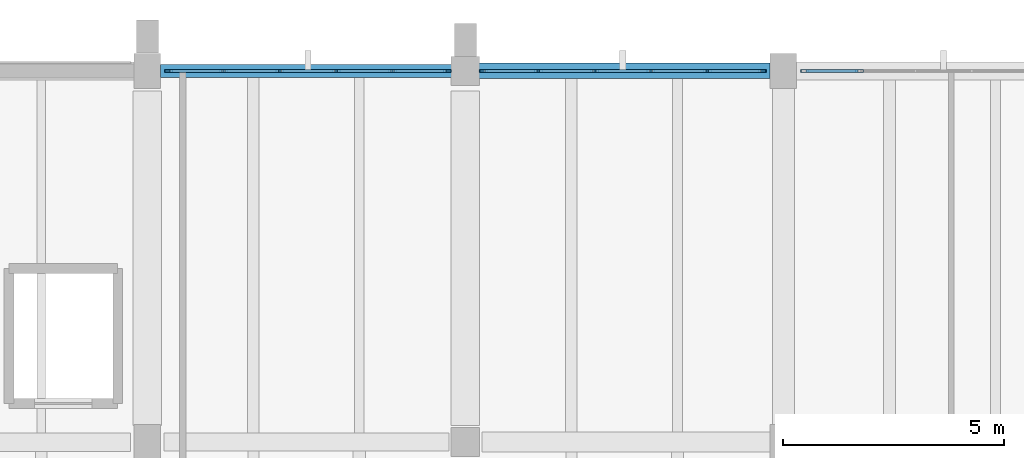
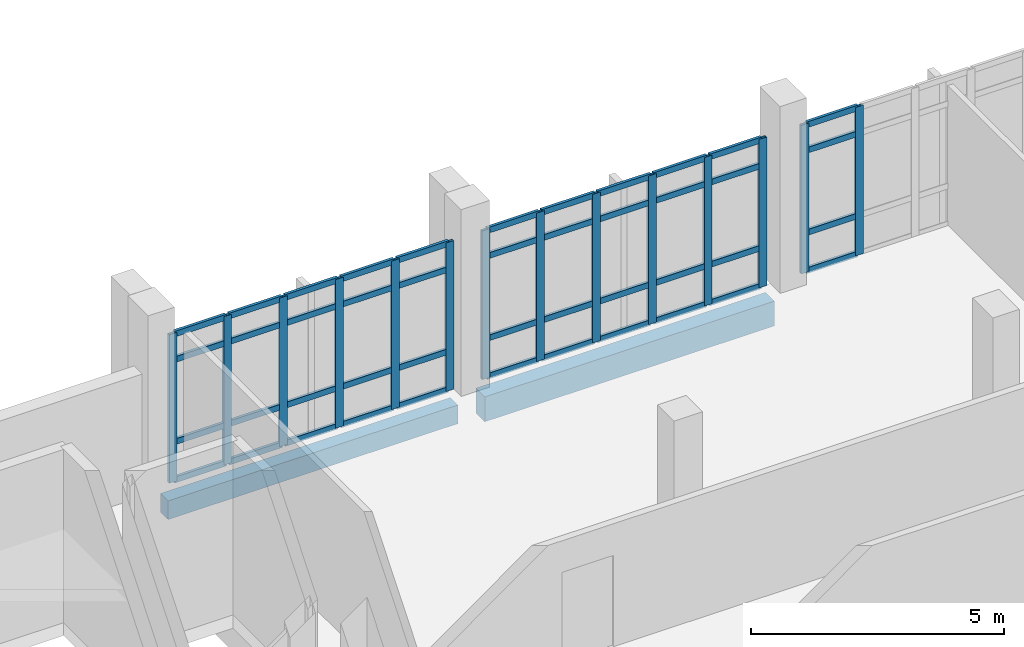
# One storey, part 54 of 87: 58 members, 2 beams, 3 elements without a shape of their own.
"""IFC4 building model written with IfcOpenShell, lengths in metres."""

from ifc_helpers import new_model, si_unit, direction, frame, origin, origin_2d, place, context, subcontext, project, spatial, rectangle, hollow_rectangle, extrude, material, material_profile, profile_set, type_object, element, aggregate, save


model = new_model("IFC4")

# Units and contexts
model_context = context("Model", 3, precision=1e-05, world=origin(), true_north=direction((0.0, 1.0)))
body_context = subcontext(model_context, "Body", "Model", "MODEL_VIEW")
ifc_project = project(units=[si_unit("LENGTHUNIT", "METRE"), si_unit("AREAUNIT", "SQUARE_METRE"), si_unit("VOLUMEUNIT", "CUBIC_METRE"), si_unit("PLANEANGLEUNIT", "RADIAN"), si_unit("MASSUNIT", "GRAM", prefix="KILO")], contexts=[model_context])

# Site, building, storey
site_placement = place(None, origin())
site = spatial("IfcSite", under=ifc_project, at=site_placement, CompositionType="ELEMENT")
building_placement = place(site_placement, origin())
building = spatial("IfcBuilding", under=site, at=building_placement, Name="Kalluvel Institute of Natural Sciences", CompositionType="ELEMENT")
storey_placement = place(building_placement, frame((0.0, 0.0, 18.89990234375)))
storey = spatial("IfcBuildingStorey", under=building, at=storey_placement, Name="L04", CompositionType="ELEMENT", Elevation=18.89990234375)

# Curtain wall, members
ifc_material_1 = material(Name="Aluminium AW-6063 T6", Category="aluminium")
curtain_wall_type = type_object("IfcCurtainWallType", Name="CW-WET-45", PredefinedType="USERDEFINED", material=ifc_material_1)
curtain_wall_1_placement = place(storey_placement, origin())
curtain_wall_1 = element("IfcCurtainWall", 1, at=curtain_wall_1_placement, inside=storey, type_object=curtain_wall_type, Name="L04 Gothic lancet curtain wall CWA-L04-X792-Y1280", ObjectType="UNITISED LANCET FACADE", PredefinedType="USERDEFINED")
ifc_material_profile_1 = material_profile(ifc_material_1, hollow_rectangle(XDim=0.06494140625, YDim=0.179931640625, WallThickness=0.00439453125, at=origin_2d()), Name="CWM 65x180")
ifc_profile_set_1 = profile_set([ifc_material_profile_1], Name="Aluminium AW-6063 T6")
member_type_1 = type_object("IfcMemberType", Name="CWM-65x180", PredefinedType="MULLION", material=ifc_profile_set_1)
member_1_placement = place(storey_placement, frame((79.282470703125, 128.0, 0.0), z_axis=(0.0, 0.0, 1.0), x_axis=(0.0, 1.0, 0.0)))
member_1 = element("IfcMember", 2, at=member_1_placement, type_object=member_type_1, Name="CW-01 mullion 1", PredefinedType="MULLION", context=body_context, shape_type="SweptSolid", body=[
    extrude(hollow_rectangle(XDim=0.06494140625, YDim=0.179931640625, WallThickness=0.00439453125, at=origin_2d()), origin(), (0.0, 0.0, 1.0), 3.580078125),
])
member_2_placement = place(storey_placement, frame((80.52490234375, 128.0, 0.0), z_axis=(0.0, 0.0, 1.0), x_axis=(0.0, 1.0, 0.0)))
member_2 = element("IfcMember", 3, at=member_2_placement, type_object=member_type_1, Name="CW-01 mullion 2", PredefinedType="MULLION", context=body_context, shape_type="SweptSolid", body=[
    extrude(hollow_rectangle(XDim=0.06494140625, YDim=0.179931640625, WallThickness=0.00439453125, at=origin_2d()), origin(), (0.0, 0.0, 1.0), 3.580078125),
])
member_3_placement = place(storey_placement, frame((81.800048828125, 128.0, 0.0), z_axis=(0.0, 0.0, 1.0), x_axis=(0.0, 1.0, 0.0)))
member_3 = element("IfcMember", 4, at=member_3_placement, type_object=member_type_1, Name="CW-01 mullion 3", PredefinedType="MULLION", context=body_context, shape_type="SweptSolid", body=[
    extrude(hollow_rectangle(XDim=0.06494140625, YDim=0.179931640625, WallThickness=0.00439453125, at=origin_2d()), origin(), (0.0, 0.0, 1.0), 3.580078125),
])
member_4_placement = place(storey_placement, frame((83.074951171875, 128.0, 0.0), z_axis=(0.0, 0.0, 1.0), x_axis=(0.0, 1.0, 0.0)))
member_4 = element("IfcMember", 5, at=member_4_placement, type_object=member_type_1, Name="CW-01 mullion 4", PredefinedType="MULLION", context=body_context, shape_type="SweptSolid", body=[
    extrude(hollow_rectangle(XDim=0.06494140625, YDim=0.179931640625, WallThickness=0.00439453125, at=origin_2d()), origin(), (0.0, 0.0, 1.0), 3.580078125),
])
member_5_placement = place(storey_placement, frame((84.35009765625, 128.0, 0.0), z_axis=(0.0, 0.0, 1.0), x_axis=(0.0, 1.0, 0.0)))
member_5 = element("IfcMember", 6, at=member_5_placement, type_object=member_type_1, Name="CW-01 mullion 5", PredefinedType="MULLION", context=body_context, shape_type="SweptSolid", body=[
    extrude(hollow_rectangle(XDim=0.06494140625, YDim=0.179931640625, WallThickness=0.00439453125, at=origin_2d()), origin(), (0.0, 0.0, 1.0), 3.580078125),
])
member_6_placement = place(storey_placement, frame((85.592529296875, 128.0, 0.0), z_axis=(0.0, 0.0, 1.0), x_axis=(0.0, 1.0, 0.0)))
member_6 = element("IfcMember", 7, at=member_6_placement, type_object=member_type_1, Name="CW-01 mullion 6", PredefinedType="MULLION", context=body_context, shape_type="SweptSolid", body=[
    extrude(hollow_rectangle(XDim=0.06494140625, YDim=0.179931640625, WallThickness=0.00439453125, at=origin_2d()), origin(), (0.0, 0.0, 1.0), 3.580078125),
])

curtain_wall_2_placement = place(storey_placement, origin())
curtain_wall_2 = element("IfcCurtainWall", 8, at=curtain_wall_2_placement, inside=storey, type_object=curtain_wall_type, Name="L04 Gothic lancet curtain wall CWA-L04-X864-Y1280", ObjectType="UNITISED LANCET FACADE", PredefinedType="USERDEFINED")
member_7_placement = place(storey_placement, frame((86.407470703125, 128.0, 0.0), z_axis=(0.0, 0.0, 1.0), x_axis=(0.0, 1.0, 0.0)))
member_7 = element("IfcMember", 9, at=member_7_placement, type_object=member_type_1, Name="CW-01 mullion 1", PredefinedType="MULLION", context=body_context, shape_type="SweptSolid", body=[
    extrude(hollow_rectangle(XDim=0.06494140625, YDim=0.179931640625, WallThickness=0.00439453125, at=origin_2d()), origin(), (0.0, 0.0, 1.0), 3.580078125),
])
member_8_placement = place(storey_placement, frame((87.64990234375, 128.0, 0.0), z_axis=(0.0, 0.0, 1.0), x_axis=(0.0, 1.0, 0.0)))
member_8 = element("IfcMember", 10, at=member_8_placement, type_object=member_type_1, Name="CW-01 mullion 2", PredefinedType="MULLION", context=body_context, shape_type="SweptSolid", body=[
    extrude(hollow_rectangle(XDim=0.06494140625, YDim=0.179931640625, WallThickness=0.00439453125, at=origin_2d()), origin(), (0.0, 0.0, 1.0), 3.580078125),
])
member_9_placement = place(storey_placement, frame((88.925048828125, 128.0, 0.0), z_axis=(0.0, 0.0, 1.0), x_axis=(0.0, 1.0, 0.0)))
member_9 = element("IfcMember", 11, at=member_9_placement, type_object=member_type_1, Name="CW-01 mullion 3", PredefinedType="MULLION", context=body_context, shape_type="SweptSolid", body=[
    extrude(hollow_rectangle(XDim=0.06494140625, YDim=0.179931640625, WallThickness=0.00439453125, at=origin_2d()), origin(), (0.0, 0.0, 1.0), 3.580078125),
])
member_10_placement = place(storey_placement, frame((90.199951171875, 128.0, 0.0), z_axis=(0.0, 0.0, 1.0), x_axis=(0.0, 1.0, 0.0)))
member_10 = element("IfcMember", 12, at=member_10_placement, type_object=member_type_1, Name="CW-01 mullion 4", PredefinedType="MULLION", context=body_context, shape_type="SweptSolid", body=[
    extrude(hollow_rectangle(XDim=0.06494140625, YDim=0.179931640625, WallThickness=0.00439453125, at=origin_2d()), origin(), (0.0, 0.0, 1.0), 3.580078125),
])
member_11_placement = place(storey_placement, frame((91.47509765625, 128.0, 0.0), z_axis=(0.0, 0.0, 1.0), x_axis=(0.0, 1.0, 0.0)))
member_11 = element("IfcMember", 13, at=member_11_placement, type_object=member_type_1, Name="CW-01 mullion 5", PredefinedType="MULLION", context=body_context, shape_type="SweptSolid", body=[
    extrude(hollow_rectangle(XDim=0.06494140625, YDim=0.179931640625, WallThickness=0.00439453125, at=origin_2d()), origin(), (0.0, 0.0, 1.0), 3.580078125),
])
member_12_placement = place(storey_placement, frame((92.717529296875, 128.0, 0.0), z_axis=(0.0, 0.0, 1.0), x_axis=(0.0, 1.0, 0.0)))
member_12 = element("IfcMember", 14, at=member_12_placement, type_object=member_type_1, Name="CW-01 mullion 6", PredefinedType="MULLION", context=body_context, shape_type="SweptSolid", body=[
    extrude(hollow_rectangle(XDim=0.06494140625, YDim=0.179931640625, WallThickness=0.00439453125, at=origin_2d()), origin(), (0.0, 0.0, 1.0), 3.580078125),
])

curtain_wall_3_placement = place(storey_placement, origin())
curtain_wall_3 = element("IfcCurtainWall", 15, at=curtain_wall_3_placement, inside=storey, type_object=curtain_wall_type, Name="L04 Gothic lancet curtain wall CWA-L04-X936-Y1280", ObjectType="UNITISED LANCET FACADE", PredefinedType="USERDEFINED")
member_13_placement = place(storey_placement, frame((93.6826171875, 128.0, 0.0), z_axis=(0.0, 0.0, 1.0), x_axis=(0.0, 1.0, 0.0)))
member_13 = element("IfcMember", 16, at=member_13_placement, type_object=member_type_1, Name="CW-01 mullion 1", PredefinedType="MULLION", context=body_context, shape_type="SweptSolid", body=[
    extrude(hollow_rectangle(XDim=0.06494140625, YDim=0.179931640625, WallThickness=0.00439453125, at=origin_2d()), origin(), (0.0, 0.0, 1.0), 3.580078125),
])
member_14_placement = place(storey_placement, frame((94.919921875, 128.0, 0.0), z_axis=(0.0, 0.0, 1.0), x_axis=(0.0, 1.0, 0.0)))
member_14 = element("IfcMember", 17, at=member_14_placement, type_object=member_type_1, Name="CW-01 mullion 2", PredefinedType="MULLION", context=body_context, shape_type="SweptSolid", body=[
    extrude(hollow_rectangle(XDim=0.06494140625, YDim=0.179931640625, WallThickness=0.00439453125, at=origin_2d()), origin(), (0.0, 0.0, 1.0), 3.580078125),
])

# Member
ifc_material_profile_2 = material_profile(ifc_material_1, hollow_rectangle(XDim=0.06494140625, YDim=0.139892578125, WallThickness=0.00439453125, at=origin_2d()), Name="CWT 65x140")
ifc_profile_set_2 = profile_set([ifc_material_profile_2], Name="Aluminium AW-6063 T6")
member_type_2 = type_object("IfcMemberType", Name="CWT-65x140", PredefinedType="USERDEFINED", material=ifc_profile_set_2)
member_15_placement = place(storey_placement, frame((79.31494140625, 128.0, 0.03271484375), z_axis=(1.0, 0.0, 0.0), x_axis=(0.0, 1.0, 0.0)))
member_15 = element("IfcMember", 18, at=member_15_placement, type_object=member_type_2, Name="CW-01 transom 1.1", ObjectType="TRANSOM", PredefinedType="USERDEFINED", context=body_context, shape_type="SweptSolid", body=[
    extrude(hollow_rectangle(XDim=0.06494140625, YDim=0.139892578125, WallThickness=0.00439453125, at=origin_2d()), origin(), (0.0, 0.0, 1.0), 1.177490234375),
])

member_16_placement = place(storey_placement, frame((79.31494140625, 128.0, 0.9501953125), z_axis=(1.0, 0.0, 0.0), x_axis=(0.0, 1.0, 0.0)))
member_16 = element("IfcMember", 19, at=member_16_placement, type_object=member_type_2, Name="CW-01 transom 1.2", ObjectType="TRANSOM", PredefinedType="USERDEFINED", context=body_context, shape_type="SweptSolid", body=[
    extrude(hollow_rectangle(XDim=0.06494140625, YDim=0.139892578125, WallThickness=0.00439453125, at=origin_2d()), origin(), (0.0, 0.0, 1.0), 1.177490234375),
])

member_17_placement = place(storey_placement, frame((79.31494140625, 128.0, 2.93017578125), z_axis=(1.0, 0.0, 0.0), x_axis=(0.0, 1.0, 0.0)))
member_17 = element("IfcMember", 20, at=member_17_placement, type_object=member_type_2, Name="CW-01 transom 1.3", ObjectType="TRANSOM", PredefinedType="USERDEFINED", context=body_context, shape_type="SweptSolid", body=[
    extrude(hollow_rectangle(XDim=0.06494140625, YDim=0.139892578125, WallThickness=0.00439453125, at=origin_2d()), origin(), (0.0, 0.0, 1.0), 1.177490234375),
])

member_18_placement = place(storey_placement, frame((79.31494140625, 128.0, 3.547607421875), z_axis=(1.0, 0.0, 0.0), x_axis=(0.0, 1.0, 0.0)))
member_18 = element("IfcMember", 21, at=member_18_placement, type_object=member_type_2, Name="CW-01 transom 1.4", ObjectType="TRANSOM", PredefinedType="USERDEFINED", context=body_context, shape_type="SweptSolid", body=[
    extrude(hollow_rectangle(XDim=0.06494140625, YDim=0.139892578125, WallThickness=0.00439453125, at=origin_2d()), origin(), (0.0, 0.0, 1.0), 1.177490234375),
])

member_19_placement = place(storey_placement, frame((80.5576171875, 128.0, 0.03271484375), z_axis=(1.0, 0.0, 0.0), x_axis=(0.0, 1.0, 0.0)))
member_19 = element("IfcMember", 22, at=member_19_placement, type_object=member_type_2, Name="CW-01 transom 2.1", ObjectType="TRANSOM", PredefinedType="USERDEFINED", context=body_context, shape_type="SweptSolid", body=[
    extrude(hollow_rectangle(XDim=0.06494140625, YDim=0.139892578125, WallThickness=0.00439453125, at=origin_2d()), origin(), (0.0, 0.0, 1.0), 1.2099609375),
])

member_20_placement = place(storey_placement, frame((80.5576171875, 128.0, 0.9501953125), z_axis=(1.0, 0.0, 0.0), x_axis=(0.0, 1.0, 0.0)))
member_20 = element("IfcMember", 23, at=member_20_placement, type_object=member_type_2, Name="CW-01 transom 2.2", ObjectType="TRANSOM", PredefinedType="USERDEFINED", context=body_context, shape_type="SweptSolid", body=[
    extrude(hollow_rectangle(XDim=0.06494140625, YDim=0.139892578125, WallThickness=0.00439453125, at=origin_2d()), origin(), (0.0, 0.0, 1.0), 1.2099609375),
])

member_21_placement = place(storey_placement, frame((80.5576171875, 128.0, 2.93017578125), z_axis=(1.0, 0.0, 0.0), x_axis=(0.0, 1.0, 0.0)))
member_21 = element("IfcMember", 24, at=member_21_placement, type_object=member_type_2, Name="CW-01 transom 2.3", ObjectType="TRANSOM", PredefinedType="USERDEFINED", context=body_context, shape_type="SweptSolid", body=[
    extrude(hollow_rectangle(XDim=0.06494140625, YDim=0.139892578125, WallThickness=0.00439453125, at=origin_2d()), origin(), (0.0, 0.0, 1.0), 1.2099609375),
])

member_22_placement = place(storey_placement, frame((80.5576171875, 128.0, 3.547607421875), z_axis=(1.0, 0.0, 0.0), x_axis=(0.0, 1.0, 0.0)))
member_22 = element("IfcMember", 25, at=member_22_placement, type_object=member_type_2, Name="CW-01 transom 2.4", ObjectType="TRANSOM", PredefinedType="USERDEFINED", context=body_context, shape_type="SweptSolid", body=[
    extrude(hollow_rectangle(XDim=0.06494140625, YDim=0.139892578125, WallThickness=0.00439453125, at=origin_2d()), origin(), (0.0, 0.0, 1.0), 1.2099609375),
])

member_23_placement = place(storey_placement, frame((81.83251953125, 128.0, 0.03271484375), z_axis=(1.0, 0.0, 0.0), x_axis=(0.0, 1.0, 0.0)))
member_23 = element("IfcMember", 26, at=member_23_placement, type_object=member_type_2, Name="CW-01 transom 3.1", ObjectType="TRANSOM", PredefinedType="USERDEFINED", context=body_context, shape_type="SweptSolid", body=[
    extrude(hollow_rectangle(XDim=0.06494140625, YDim=0.139892578125, WallThickness=0.00439453125, at=origin_2d()), origin(), (0.0, 0.0, 1.0), 1.2099609375),
])

member_24_placement = place(storey_placement, frame((81.83251953125, 128.0, 0.9501953125), z_axis=(1.0, 0.0, 0.0), x_axis=(0.0, 1.0, 0.0)))
member_24 = element("IfcMember", 27, at=member_24_placement, type_object=member_type_2, Name="CW-01 transom 3.2", ObjectType="TRANSOM", PredefinedType="USERDEFINED", context=body_context, shape_type="SweptSolid", body=[
    extrude(hollow_rectangle(XDim=0.06494140625, YDim=0.139892578125, WallThickness=0.00439453125, at=origin_2d()), origin(), (0.0, 0.0, 1.0), 1.2099609375),
])

member_25_placement = place(storey_placement, frame((81.83251953125, 128.0, 2.93017578125), z_axis=(1.0, 0.0, 0.0), x_axis=(0.0, 1.0, 0.0)))
member_25 = element("IfcMember", 28, at=member_25_placement, type_object=member_type_2, Name="CW-01 transom 3.3", ObjectType="TRANSOM", PredefinedType="USERDEFINED", context=body_context, shape_type="SweptSolid", body=[
    extrude(hollow_rectangle(XDim=0.06494140625, YDim=0.139892578125, WallThickness=0.00439453125, at=origin_2d()), origin(), (0.0, 0.0, 1.0), 1.2099609375),
])

member_26_placement = place(storey_placement, frame((81.83251953125, 128.0, 3.547607421875), z_axis=(1.0, 0.0, 0.0), x_axis=(0.0, 1.0, 0.0)))
member_26 = element("IfcMember", 29, at=member_26_placement, type_object=member_type_2, Name="CW-01 transom 3.4", ObjectType="TRANSOM", PredefinedType="USERDEFINED", context=body_context, shape_type="SweptSolid", body=[
    extrude(hollow_rectangle(XDim=0.06494140625, YDim=0.139892578125, WallThickness=0.00439453125, at=origin_2d()), origin(), (0.0, 0.0, 1.0), 1.2099609375),
])

member_27_placement = place(storey_placement, frame((83.107421875, 128.0, 0.03271484375), z_axis=(1.0, 0.0, 0.0), x_axis=(0.0, 1.0, 0.0)))
member_27 = element("IfcMember", 30, at=member_27_placement, type_object=member_type_2, Name="CW-01 transom 4.1", ObjectType="TRANSOM", PredefinedType="USERDEFINED", context=body_context, shape_type="SweptSolid", body=[
    extrude(hollow_rectangle(XDim=0.06494140625, YDim=0.139892578125, WallThickness=0.00439453125, at=origin_2d()), origin(), (0.0, 0.0, 1.0), 1.2099609375),
])

member_28_placement = place(storey_placement, frame((83.107421875, 128.0, 0.9501953125), z_axis=(1.0, 0.0, 0.0), x_axis=(0.0, 1.0, 0.0)))
member_28 = element("IfcMember", 31, at=member_28_placement, type_object=member_type_2, Name="CW-01 transom 4.2", ObjectType="TRANSOM", PredefinedType="USERDEFINED", context=body_context, shape_type="SweptSolid", body=[
    extrude(hollow_rectangle(XDim=0.06494140625, YDim=0.139892578125, WallThickness=0.00439453125, at=origin_2d()), origin(), (0.0, 0.0, 1.0), 1.2099609375),
])

member_29_placement = place(storey_placement, frame((83.107421875, 128.0, 2.93017578125), z_axis=(1.0, 0.0, 0.0), x_axis=(0.0, 1.0, 0.0)))
member_29 = element("IfcMember", 32, at=member_29_placement, type_object=member_type_2, Name="CW-01 transom 4.3", ObjectType="TRANSOM", PredefinedType="USERDEFINED", context=body_context, shape_type="SweptSolid", body=[
    extrude(hollow_rectangle(XDim=0.06494140625, YDim=0.139892578125, WallThickness=0.00439453125, at=origin_2d()), origin(), (0.0, 0.0, 1.0), 1.2099609375),
])

member_30_placement = place(storey_placement, frame((83.107421875, 128.0, 3.547607421875), z_axis=(1.0, 0.0, 0.0), x_axis=(0.0, 1.0, 0.0)))
member_30 = element("IfcMember", 33, at=member_30_placement, type_object=member_type_2, Name="CW-01 transom 4.4", ObjectType="TRANSOM", PredefinedType="USERDEFINED", context=body_context, shape_type="SweptSolid", body=[
    extrude(hollow_rectangle(XDim=0.06494140625, YDim=0.139892578125, WallThickness=0.00439453125, at=origin_2d()), origin(), (0.0, 0.0, 1.0), 1.2099609375),
])

member_31_placement = place(storey_placement, frame((84.382568359375, 128.0, 0.03271484375), z_axis=(1.0, 0.0, 0.0), x_axis=(0.0, 1.0, 0.0)))
member_31 = element("IfcMember", 34, at=member_31_placement, type_object=member_type_2, Name="CW-01 transom 5.1", ObjectType="TRANSOM", PredefinedType="USERDEFINED", context=body_context, shape_type="SweptSolid", body=[
    extrude(hollow_rectangle(XDim=0.06494140625, YDim=0.139892578125, WallThickness=0.00439453125, at=origin_2d()), origin(), (0.0, 0.0, 1.0), 1.177490234375),
])

member_32_placement = place(storey_placement, frame((84.382568359375, 128.0, 0.9501953125), z_axis=(1.0, 0.0, 0.0), x_axis=(0.0, 1.0, 0.0)))
member_32 = element("IfcMember", 35, at=member_32_placement, type_object=member_type_2, Name="CW-01 transom 5.2", ObjectType="TRANSOM", PredefinedType="USERDEFINED", context=body_context, shape_type="SweptSolid", body=[
    extrude(hollow_rectangle(XDim=0.06494140625, YDim=0.139892578125, WallThickness=0.00439453125, at=origin_2d()), origin(), (0.0, 0.0, 1.0), 1.177490234375),
])

member_33_placement = place(storey_placement, frame((84.382568359375, 128.0, 2.93017578125), z_axis=(1.0, 0.0, 0.0), x_axis=(0.0, 1.0, 0.0)))
member_33 = element("IfcMember", 36, at=member_33_placement, type_object=member_type_2, Name="CW-01 transom 5.3", ObjectType="TRANSOM", PredefinedType="USERDEFINED", context=body_context, shape_type="SweptSolid", body=[
    extrude(hollow_rectangle(XDim=0.06494140625, YDim=0.139892578125, WallThickness=0.00439453125, at=origin_2d()), origin(), (0.0, 0.0, 1.0), 1.177490234375),
])

member_34_placement = place(storey_placement, frame((84.382568359375, 128.0, 3.547607421875), z_axis=(1.0, 0.0, 0.0), x_axis=(0.0, 1.0, 0.0)))
member_34 = element("IfcMember", 37, at=member_34_placement, type_object=member_type_2, Name="CW-01 transom 5.4", ObjectType="TRANSOM", PredefinedType="USERDEFINED", context=body_context, shape_type="SweptSolid", body=[
    extrude(hollow_rectangle(XDim=0.06494140625, YDim=0.139892578125, WallThickness=0.00439453125, at=origin_2d()), origin(), (0.0, 0.0, 1.0), 1.177490234375),
])

aggregate(curtain_wall_1, [member_1, member_2, member_3, member_4, member_5, member_6, member_15, member_16, member_17, member_18, member_19, member_20, member_21, member_22, member_23, member_24, member_25, member_26, member_27, member_28, member_29, member_30, member_31, member_32, member_33, member_34])

member_35_placement = place(storey_placement, frame((86.43994140625, 128.0, 0.03271484375), z_axis=(1.0, 0.0, 0.0), x_axis=(0.0, 1.0, 0.0)))
member_35 = element("IfcMember", 38, at=member_35_placement, type_object=member_type_2, Name="CW-01 transom 1.1", ObjectType="TRANSOM", PredefinedType="USERDEFINED", context=body_context, shape_type="SweptSolid", body=[
    extrude(hollow_rectangle(XDim=0.06494140625, YDim=0.139892578125, WallThickness=0.00439453125, at=origin_2d()), origin(), (0.0, 0.0, 1.0), 1.177490234375),
])

member_36_placement = place(storey_placement, frame((86.43994140625, 128.0, 0.9501953125), z_axis=(1.0, 0.0, 0.0), x_axis=(0.0, 1.0, 0.0)))
member_36 = element("IfcMember", 39, at=member_36_placement, type_object=member_type_2, Name="CW-01 transom 1.2", ObjectType="TRANSOM", PredefinedType="USERDEFINED", context=body_context, shape_type="SweptSolid", body=[
    extrude(hollow_rectangle(XDim=0.06494140625, YDim=0.139892578125, WallThickness=0.00439453125, at=origin_2d()), origin(), (0.0, 0.0, 1.0), 1.177490234375),
])

member_37_placement = place(storey_placement, frame((86.43994140625, 128.0, 2.93017578125), z_axis=(1.0, 0.0, 0.0), x_axis=(0.0, 1.0, 0.0)))
member_37 = element("IfcMember", 40, at=member_37_placement, type_object=member_type_2, Name="CW-01 transom 1.3", ObjectType="TRANSOM", PredefinedType="USERDEFINED", context=body_context, shape_type="SweptSolid", body=[
    extrude(hollow_rectangle(XDim=0.06494140625, YDim=0.139892578125, WallThickness=0.00439453125, at=origin_2d()), origin(), (0.0, 0.0, 1.0), 1.177490234375),
])

member_38_placement = place(storey_placement, frame((86.43994140625, 128.0, 3.547607421875), z_axis=(1.0, 0.0, 0.0), x_axis=(0.0, 1.0, 0.0)))
member_38 = element("IfcMember", 41, at=member_38_placement, type_object=member_type_2, Name="CW-01 transom 1.4", ObjectType="TRANSOM", PredefinedType="USERDEFINED", context=body_context, shape_type="SweptSolid", body=[
    extrude(hollow_rectangle(XDim=0.06494140625, YDim=0.139892578125, WallThickness=0.00439453125, at=origin_2d()), origin(), (0.0, 0.0, 1.0), 1.177490234375),
])

member_39_placement = place(storey_placement, frame((87.6826171875, 128.0, 0.03271484375), z_axis=(1.0, 0.0, 0.0), x_axis=(0.0, 1.0, 0.0)))
member_39 = element("IfcMember", 42, at=member_39_placement, type_object=member_type_2, Name="CW-01 transom 2.1", ObjectType="TRANSOM", PredefinedType="USERDEFINED", context=body_context, shape_type="SweptSolid", body=[
    extrude(hollow_rectangle(XDim=0.06494140625, YDim=0.139892578125, WallThickness=0.00439453125, at=origin_2d()), origin(), (0.0, 0.0, 1.0), 1.2099609375),
])

member_40_placement = place(storey_placement, frame((87.6826171875, 128.0, 0.9501953125), z_axis=(1.0, 0.0, 0.0), x_axis=(0.0, 1.0, 0.0)))
member_40 = element("IfcMember", 43, at=member_40_placement, type_object=member_type_2, Name="CW-01 transom 2.2", ObjectType="TRANSOM", PredefinedType="USERDEFINED", context=body_context, shape_type="SweptSolid", body=[
    extrude(hollow_rectangle(XDim=0.06494140625, YDim=0.139892578125, WallThickness=0.00439453125, at=origin_2d()), origin(), (0.0, 0.0, 1.0), 1.2099609375),
])

member_41_placement = place(storey_placement, frame((87.6826171875, 128.0, 2.93017578125), z_axis=(1.0, 0.0, 0.0), x_axis=(0.0, 1.0, 0.0)))
member_41 = element("IfcMember", 44, at=member_41_placement, type_object=member_type_2, Name="CW-01 transom 2.3", ObjectType="TRANSOM", PredefinedType="USERDEFINED", context=body_context, shape_type="SweptSolid", body=[
    extrude(hollow_rectangle(XDim=0.06494140625, YDim=0.139892578125, WallThickness=0.00439453125, at=origin_2d()), origin(), (0.0, 0.0, 1.0), 1.2099609375),
])

member_42_placement = place(storey_placement, frame((87.6826171875, 128.0, 3.547607421875), z_axis=(1.0, 0.0, 0.0), x_axis=(0.0, 1.0, 0.0)))
member_42 = element("IfcMember", 45, at=member_42_placement, type_object=member_type_2, Name="CW-01 transom 2.4", ObjectType="TRANSOM", PredefinedType="USERDEFINED", context=body_context, shape_type="SweptSolid", body=[
    extrude(hollow_rectangle(XDim=0.06494140625, YDim=0.139892578125, WallThickness=0.00439453125, at=origin_2d()), origin(), (0.0, 0.0, 1.0), 1.2099609375),
])

member_43_placement = place(storey_placement, frame((88.95751953125, 128.0, 0.03271484375), z_axis=(1.0, 0.0, 0.0), x_axis=(0.0, 1.0, 0.0)))
member_43 = element("IfcMember", 46, at=member_43_placement, type_object=member_type_2, Name="CW-01 transom 3.1", ObjectType="TRANSOM", PredefinedType="USERDEFINED", context=body_context, shape_type="SweptSolid", body=[
    extrude(hollow_rectangle(XDim=0.06494140625, YDim=0.139892578125, WallThickness=0.00439453125, at=origin_2d()), origin(), (0.0, 0.0, 1.0), 1.2099609375),
])

member_44_placement = place(storey_placement, frame((88.95751953125, 128.0, 0.9501953125), z_axis=(1.0, 0.0, 0.0), x_axis=(0.0, 1.0, 0.0)))
member_44 = element("IfcMember", 47, at=member_44_placement, type_object=member_type_2, Name="CW-01 transom 3.2", ObjectType="TRANSOM", PredefinedType="USERDEFINED", context=body_context, shape_type="SweptSolid", body=[
    extrude(hollow_rectangle(XDim=0.06494140625, YDim=0.139892578125, WallThickness=0.00439453125, at=origin_2d()), origin(), (0.0, 0.0, 1.0), 1.2099609375),
])

member_45_placement = place(storey_placement, frame((88.95751953125, 128.0, 2.93017578125), z_axis=(1.0, 0.0, 0.0), x_axis=(0.0, 1.0, 0.0)))
member_45 = element("IfcMember", 48, at=member_45_placement, type_object=member_type_2, Name="CW-01 transom 3.3", ObjectType="TRANSOM", PredefinedType="USERDEFINED", context=body_context, shape_type="SweptSolid", body=[
    extrude(hollow_rectangle(XDim=0.06494140625, YDim=0.139892578125, WallThickness=0.00439453125, at=origin_2d()), origin(), (0.0, 0.0, 1.0), 1.2099609375),
])

member_46_placement = place(storey_placement, frame((88.95751953125, 128.0, 3.547607421875), z_axis=(1.0, 0.0, 0.0), x_axis=(0.0, 1.0, 0.0)))
member_46 = element("IfcMember", 49, at=member_46_placement, type_object=member_type_2, Name="CW-01 transom 3.4", ObjectType="TRANSOM", PredefinedType="USERDEFINED", context=body_context, shape_type="SweptSolid", body=[
    extrude(hollow_rectangle(XDim=0.06494140625, YDim=0.139892578125, WallThickness=0.00439453125, at=origin_2d()), origin(), (0.0, 0.0, 1.0), 1.2099609375),
])

member_47_placement = place(storey_placement, frame((90.232421875, 128.0, 0.03271484375), z_axis=(1.0, 0.0, 0.0), x_axis=(0.0, 1.0, 0.0)))
member_47 = element("IfcMember", 50, at=member_47_placement, type_object=member_type_2, Name="CW-01 transom 4.1", ObjectType="TRANSOM", PredefinedType="USERDEFINED", context=body_context, shape_type="SweptSolid", body=[
    extrude(hollow_rectangle(XDim=0.06494140625, YDim=0.139892578125, WallThickness=0.00439453125, at=origin_2d()), origin(), (0.0, 0.0, 1.0), 1.2099609375),
])

member_48_placement = place(storey_placement, frame((90.232421875, 128.0, 0.9501953125), z_axis=(1.0, 0.0, 0.0), x_axis=(0.0, 1.0, 0.0)))
member_48 = element("IfcMember", 51, at=member_48_placement, type_object=member_type_2, Name="CW-01 transom 4.2", ObjectType="TRANSOM", PredefinedType="USERDEFINED", context=body_context, shape_type="SweptSolid", body=[
    extrude(hollow_rectangle(XDim=0.06494140625, YDim=0.139892578125, WallThickness=0.00439453125, at=origin_2d()), origin(), (0.0, 0.0, 1.0), 1.2099609375),
])

member_49_placement = place(storey_placement, frame((90.232421875, 128.0, 2.93017578125), z_axis=(1.0, 0.0, 0.0), x_axis=(0.0, 1.0, 0.0)))
member_49 = element("IfcMember", 52, at=member_49_placement, type_object=member_type_2, Name="CW-01 transom 4.3", ObjectType="TRANSOM", PredefinedType="USERDEFINED", context=body_context, shape_type="SweptSolid", body=[
    extrude(hollow_rectangle(XDim=0.06494140625, YDim=0.139892578125, WallThickness=0.00439453125, at=origin_2d()), origin(), (0.0, 0.0, 1.0), 1.2099609375),
])

member_50_placement = place(storey_placement, frame((90.232421875, 128.0, 3.547607421875), z_axis=(1.0, 0.0, 0.0), x_axis=(0.0, 1.0, 0.0)))
member_50 = element("IfcMember", 53, at=member_50_placement, type_object=member_type_2, Name="CW-01 transom 4.4", ObjectType="TRANSOM", PredefinedType="USERDEFINED", context=body_context, shape_type="SweptSolid", body=[
    extrude(hollow_rectangle(XDim=0.06494140625, YDim=0.139892578125, WallThickness=0.00439453125, at=origin_2d()), origin(), (0.0, 0.0, 1.0), 1.2099609375),
])

member_51_placement = place(storey_placement, frame((91.507568359375, 128.0, 0.03271484375), z_axis=(1.0, 0.0, 0.0), x_axis=(0.0, 1.0, 0.0)))
member_51 = element("IfcMember", 54, at=member_51_placement, type_object=member_type_2, Name="CW-01 transom 5.1", ObjectType="TRANSOM", PredefinedType="USERDEFINED", context=body_context, shape_type="SweptSolid", body=[
    extrude(hollow_rectangle(XDim=0.06494140625, YDim=0.139892578125, WallThickness=0.00439453125, at=origin_2d()), origin(), (0.0, 0.0, 1.0), 1.177490234375),
])

member_52_placement = place(storey_placement, frame((91.507568359375, 128.0, 0.9501953125), z_axis=(1.0, 0.0, 0.0), x_axis=(0.0, 1.0, 0.0)))
member_52 = element("IfcMember", 55, at=member_52_placement, type_object=member_type_2, Name="CW-01 transom 5.2", ObjectType="TRANSOM", PredefinedType="USERDEFINED", context=body_context, shape_type="SweptSolid", body=[
    extrude(hollow_rectangle(XDim=0.06494140625, YDim=0.139892578125, WallThickness=0.00439453125, at=origin_2d()), origin(), (0.0, 0.0, 1.0), 1.177490234375),
])

member_53_placement = place(storey_placement, frame((91.507568359375, 128.0, 2.93017578125), z_axis=(1.0, 0.0, 0.0), x_axis=(0.0, 1.0, 0.0)))
member_53 = element("IfcMember", 56, at=member_53_placement, type_object=member_type_2, Name="CW-01 transom 5.3", ObjectType="TRANSOM", PredefinedType="USERDEFINED", context=body_context, shape_type="SweptSolid", body=[
    extrude(hollow_rectangle(XDim=0.06494140625, YDim=0.139892578125, WallThickness=0.00439453125, at=origin_2d()), origin(), (0.0, 0.0, 1.0), 1.177490234375),
])

member_54_placement = place(storey_placement, frame((91.507568359375, 128.0, 3.547607421875), z_axis=(1.0, 0.0, 0.0), x_axis=(0.0, 1.0, 0.0)))
member_54 = element("IfcMember", 57, at=member_54_placement, type_object=member_type_2, Name="CW-01 transom 5.4", ObjectType="TRANSOM", PredefinedType="USERDEFINED", context=body_context, shape_type="SweptSolid", body=[
    extrude(hollow_rectangle(XDim=0.06494140625, YDim=0.139892578125, WallThickness=0.00439453125, at=origin_2d()), origin(), (0.0, 0.0, 1.0), 1.177490234375),
])

aggregate(curtain_wall_2, [member_7, member_8, member_9, member_10, member_11, member_12, member_35, member_36, member_37, member_38, member_39, member_40, member_41, member_42, member_43, member_44, member_45, member_46, member_47, member_48, member_49, member_50, member_51, member_52, member_53, member_54])

member_55_placement = place(storey_placement, frame((93.715087890625, 128.0, 0.03271484375), z_axis=(1.0, 0.0, 0.0), x_axis=(0.0, 1.0, 0.0)))
member_55 = element("IfcMember", 58, at=member_55_placement, type_object=member_type_2, Name="CW-01 transom 1.1", ObjectType="TRANSOM", PredefinedType="USERDEFINED", context=body_context, shape_type="SweptSolid", body=[
    extrude(hollow_rectangle(XDim=0.06494140625, YDim=0.139892578125, WallThickness=0.00439453125, at=origin_2d()), origin(), (0.0, 0.0, 1.0), 1.17236328125),
])

member_56_placement = place(storey_placement, frame((93.715087890625, 128.0, 0.9501953125), z_axis=(1.0, 0.0, 0.0), x_axis=(0.0, 1.0, 0.0)))
member_56 = element("IfcMember", 59, at=member_56_placement, type_object=member_type_2, Name="CW-01 transom 1.2", ObjectType="TRANSOM", PredefinedType="USERDEFINED", context=body_context, shape_type="SweptSolid", body=[
    extrude(hollow_rectangle(XDim=0.06494140625, YDim=0.139892578125, WallThickness=0.00439453125, at=origin_2d()), origin(), (0.0, 0.0, 1.0), 1.17236328125),
])

member_57_placement = place(storey_placement, frame((93.715087890625, 128.0, 2.93017578125), z_axis=(1.0, 0.0, 0.0), x_axis=(0.0, 1.0, 0.0)))
member_57 = element("IfcMember", 60, at=member_57_placement, type_object=member_type_2, Name="CW-01 transom 1.3", ObjectType="TRANSOM", PredefinedType="USERDEFINED", context=body_context, shape_type="SweptSolid", body=[
    extrude(hollow_rectangle(XDim=0.06494140625, YDim=0.139892578125, WallThickness=0.00439453125, at=origin_2d()), origin(), (0.0, 0.0, 1.0), 1.17236328125),
])

member_58_placement = place(storey_placement, frame((93.715087890625, 128.0, 3.547607421875), z_axis=(1.0, 0.0, 0.0), x_axis=(0.0, 1.0, 0.0)))
member_58 = element("IfcMember", 61, at=member_58_placement, type_object=member_type_2, Name="CW-01 transom 1.4", ObjectType="TRANSOM", PredefinedType="USERDEFINED", context=body_context, shape_type="SweptSolid", body=[
    extrude(hollow_rectangle(XDim=0.06494140625, YDim=0.139892578125, WallThickness=0.00439453125, at=origin_2d()), origin(), (0.0, 0.0, 1.0), 1.17236328125),
])

aggregate(curtain_wall_3, [member_13, member_14, member_55, member_56, member_57, member_58])

# Beams
ifc_material_2 = material(Name="Concrete M40", Category="concrete")
ifc_material_profile_3 = material_profile(ifc_material_2, rectangle(XDim=0.300048828125, YDim=0.449951171875, at=origin_2d()), Name="RCB 300x450")
ifc_profile_set_3 = profile_set([ifc_material_profile_3], Name="Concrete M40")
beam_type_1 = type_object("IfcBeamType", Name="SP-RC300x450", PredefinedType="SPANDREL", material=ifc_profile_set_3)
beam_1_placement = place(storey_placement, frame((79.10009765625, 128.0, -0.544921875), z_axis=(1.0, 0.0, 0.0), x_axis=(0.0, 1.0, 0.0)))
element("IfcBeam", 62, at=beam_1_placement, inside=storey, type_object=beam_type_1, Name="L04 girder GIR-L04-EW-X788-Y1280", PredefinedType="SPANDREL", context=body_context, shape_type="SweptSolid", body=[
    extrude(rectangle(XDim=0.300048828125, YDim=0.449951171875, at=origin_2d()), origin(), (0.0, 0.0, 1.0), 6.599853515625),
])
ifc_material_profile_4 = material_profile(ifc_material_2, rectangle(XDim=0.35009765625, YDim=0.60009765625, at=origin_2d()), Name="RCB 350x600")
ifc_profile_set_4 = profile_set([ifc_material_profile_4], Name="Concrete M40")
beam_type_2 = type_object("IfcBeamType", Name="SP-RC350x600", PredefinedType="SPANDREL", material=ifc_profile_set_4)
beam_2_placement = place(storey_placement, frame((86.300048828125, 128.0, -0.619873046875), z_axis=(1.0, 0.0, 0.0), x_axis=(0.0, 1.0, 0.0)))
element("IfcBeam", 63, at=beam_2_placement, inside=storey, type_object=beam_type_2, Name="L04 girder GIR-L04-EW-X860-Y1280", PredefinedType="SPANDREL", context=body_context, shape_type="SweptSolid", body=[
    extrude(rectangle(XDim=0.35009765625, YDim=0.60009765625, at=origin_2d()), origin(), (0.0, 0.0, 1.0), 6.599853515625),
])

save(model, "model.ifc")
